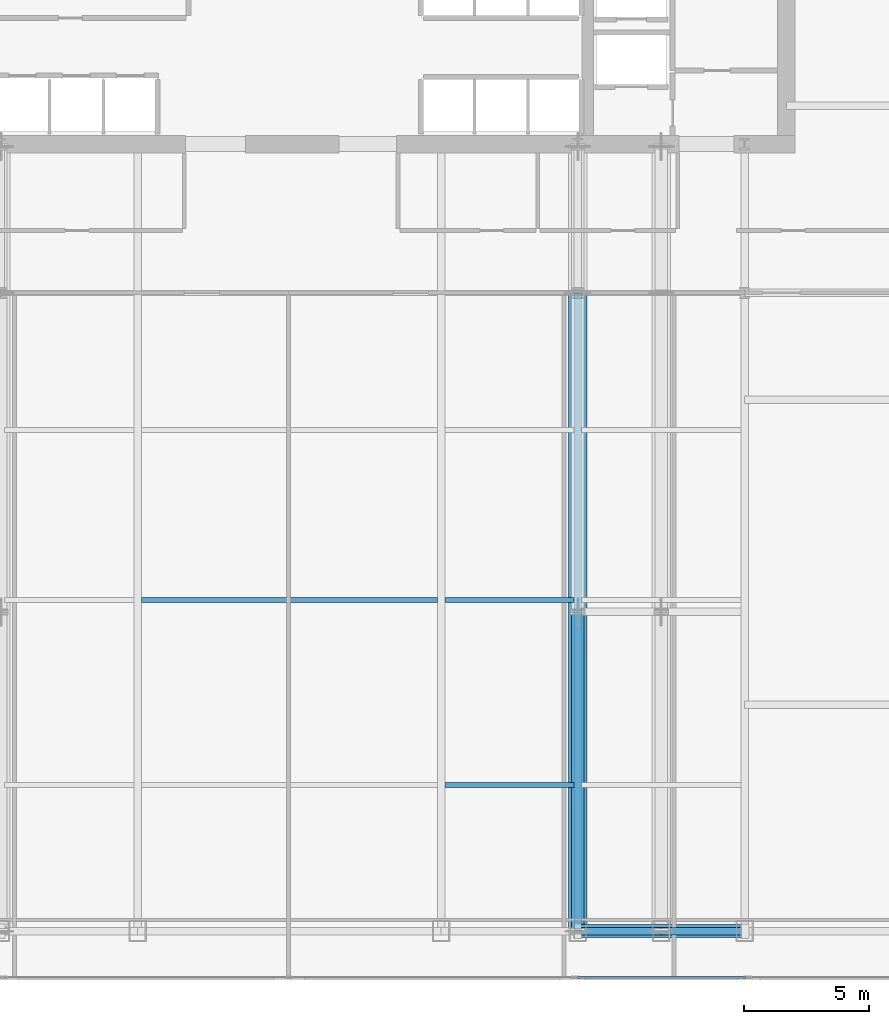
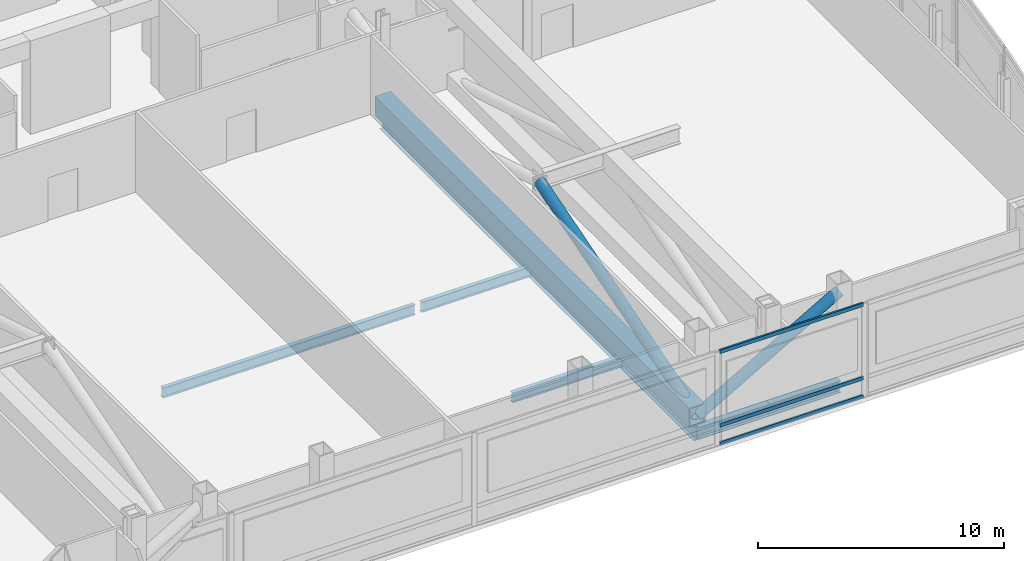
# One storey, part 14 of 30: 6 beams, 6 members, 1 element without a shape of its own.
"""IFC4 building model written with IfcOpenShell, lengths in metres."""

from ifc_helpers import new_model, si_unit, direction, frame, origin, origin_2d, place, context, subcontext, project, spatial, hollow_rectangle, hollow_circle, i_section, extrude, material, material_profile, profile_set, type_object, element, aggregate, save


model = new_model("IFC4")

# Units and contexts
model_context = context("Model", 3, precision=1e-05, world=origin(), true_north=direction((0.0, 1.0)))
body_context = subcontext(model_context, "Body", "Model", "MODEL_VIEW")
ifc_project = project(units=[si_unit("LENGTHUNIT", "METRE"), si_unit("AREAUNIT", "SQUARE_METRE"), si_unit("VOLUMEUNIT", "CUBIC_METRE"), si_unit("PLANEANGLEUNIT", "RADIAN"), si_unit("MASSUNIT", "GRAM", prefix="KILO")], contexts=[model_context])

# Site, building, storey
site_placement = place(None, origin())
site = spatial("IfcSite", under=ifc_project, at=site_placement, CompositionType="ELEMENT")
building_placement = place(site_placement, origin())
building = spatial("IfcBuilding", under=site, at=building_placement, Name="Khoronbel Lancet Exchange", CompositionType="ELEMENT")
storey_placement = place(building_placement, frame((0.0, 0.0, 172.199951171875)))
storey = spatial("IfcBuildingStorey", under=building, at=storey_placement, Name="L43", CompositionType="ELEMENT", Elevation=172.199951171875)

# Beams
ifc_material_1 = material(Name="Steel S355", Category="steel")
ifc_material_profile_1 = material_profile(ifc_material_1, i_section(OverallWidth=0.300048828125, OverallDepth=0.699951171875, WebThickness=0.01708984375, FlangeThickness=0.031982421875, at=origin_2d()), Name="HEB 700")
ifc_profile_set_1 = profile_set([ifc_material_profile_1], Name="Steel S355")
beam_type_1 = type_object("IfcBeamType", Name="BM-BG3", PredefinedType="BEAM", material=ifc_profile_set_1)
beam_1_placement = place(storey_placement, frame((48.0, 10.14990234375, -0.570068359375), z_axis=(0.0, 1.0, 0.0), x_axis=(-1.0, 0.0, 0.0)))
element("IfcBeam", 1, at=beam_1_placement, inside=storey, type_object=beam_type_1, Name="Level L43 south primary girder GS5", PredefinedType="BEAM", context=body_context, shape_type="SweptSolid", body=[
    extrude(i_section(OverallWidth=0.300048828125, OverallDepth=0.699951171875, WebThickness=0.01708984375, FlangeThickness=0.031982421875, at=origin_2d()), origin(), (0.0, 0.0, 1.0), 25.550048828125),
])
ifc_material_profile_2 = material_profile(ifc_material_1, i_section(OverallWidth=0.199951171875, OverallDepth=0.5, WebThickness=0.01025390625, FlangeThickness=0.01611328125, at=origin_2d()), Name="IPE 500")
ifc_profile_set_2 = profile_set([ifc_material_profile_2], Name="Steel S355")
beam_type_2 = type_object("IfcBeamType", Name="BM-BJ3", PredefinedType="JOIST", material=ifc_profile_set_2)
beam_2_placement = place(storey_placement, frame((42.675048828125, 16.0, -0.469970703125), z_axis=(1.0, 0.0, 0.0), x_axis=(0.0, 1.0, 0.0)))
element("IfcBeam", 2, at=beam_2_placement, inside=storey, type_object=beam_type_2, Name="Level L43 secondary composite joist J04", PredefinedType="JOIST", context=body_context, shape_type="SweptSolid", body=[
    extrude(i_section(OverallWidth=0.199951171875, OverallDepth=0.5, WebThickness=0.01025390625, FlangeThickness=0.01611328125, at=origin_2d()), origin(), (0.0, 0.0, 1.0), 5.175048828125),
])
beam_3_placement = place(storey_placement, frame((30.52490234375, 23.39990234375, -0.469970703125), z_axis=(1.0, 0.0, 0.0), x_axis=(0.0, 1.0, 0.0)))
element("IfcBeam", 3, at=beam_3_placement, inside=storey, type_object=beam_type_2, Name="Level L43 secondary composite joist J08", PredefinedType="JOIST", context=body_context, shape_type="SweptSolid", body=[
    extrude(i_section(OverallWidth=0.199951171875, OverallDepth=0.5, WebThickness=0.01025390625, FlangeThickness=0.01611328125, at=origin_2d()), origin(), (0.0, 0.0, 1.0), 11.85009765625),
])
beam_4_placement = place(storey_placement, frame((42.675048828125, 23.39990234375, -0.469970703125), z_axis=(1.0, 0.0, 0.0), x_axis=(0.0, 1.0, 0.0)))
element("IfcBeam", 4, at=beam_4_placement, inside=storey, type_object=beam_type_2, Name="Level L43 secondary composite joist J09", PredefinedType="JOIST", context=body_context, shape_type="SweptSolid", body=[
    extrude(i_section(OverallWidth=0.199951171875, OverallDepth=0.5, WebThickness=0.01025390625, FlangeThickness=0.01611328125, at=origin_2d()), origin(), (0.0, 0.0, 1.0), 5.175048828125),
])
ifc_material_profile_3 = material_profile(ifc_material_1, i_section(OverallWidth=0.300048828125, OverallDepth=0.60009765625, WebThickness=0.015380859375, FlangeThickness=0.030029296875, at=origin_2d()), Name="HEB 600")
ifc_profile_set_3 = profile_set([ifc_material_profile_3], Name="Steel S355")
beam_type_3 = type_object("IfcBeamType", Name="BM-BSP2", PredefinedType="SPANDREL", material=ifc_profile_set_3)
beam_5_placement = place(storey_placement, frame((48.0, 10.14990234375, -0.52001953125), z_axis=(1.0, 0.0, 0.0), x_axis=(0.0, 1.0, 0.0)))
element("IfcBeam", 5, at=beam_5_placement, inside=storey, type_object=beam_type_3, Name="Level L43 perimeter spandrel beam SP07", PredefinedType="SPANDREL", context=body_context, shape_type="SweptSolid", body=[
    extrude(i_section(OverallWidth=0.300048828125, OverallDepth=0.60009765625, WebThickness=0.015380859375, FlangeThickness=0.030029296875, at=origin_2d()), origin(), (0.0, 0.0, 1.0), 3.33740234375),
])
beam_6_placement = place(storey_placement, frame((51.33740234375, 10.14990234375, -0.52001953125), z_axis=(1.0, 0.0, 0.0), x_axis=(0.0, 1.0, 0.0)))
element("IfcBeam", 6, at=beam_6_placement, inside=storey, type_object=beam_type_3, Name="Level L43 perimeter spandrel beam SP08", PredefinedType="SPANDREL", context=body_context, shape_type="SweptSolid", body=[
    extrude(i_section(OverallWidth=0.300048828125, OverallDepth=0.60009765625, WebThickness=0.015380859375, FlangeThickness=0.030029296875, at=origin_2d()), origin(), (0.0, 0.0, 1.0), 3.337646484375),
])

# Curtain wall, members
ifc_material_2 = material(Name="Low-E Solar Control Insulating Glass", Category="glass")
curtain_wall_type = type_object("IfcCurtainWallType", Name="CW-3", PredefinedType="NOTDEFINED", material=ifc_material_2)
curtain_wall_placement = place(storey_placement, origin())
curtain_wall = element("IfcCurtainWall", 7, at=curtain_wall_placement, inside=storey, type_object=curtain_wall_type, Name="Unitised curtain wall CW-L43-SEB", PredefinedType="NOTDEFINED")
ifc_material_3 = material(Name="Bronze-Anodised Aluminium 6063-T6", Category="aluminium")
ifc_material_profile_4 = material_profile(ifc_material_3, hollow_rectangle(XDim=0.0849609375, YDim=0.179931640625, WallThickness=0.0048828125, at=origin_2d()), Name="ALU TRANSOM 85x180")
ifc_profile_set_4 = profile_set([ifc_material_profile_4], Name="Bronze-Anodised Aluminium 6063-T6")
member_type_1 = type_object("IfcMemberType", Name="MEM-CWT1", PredefinedType="USERDEFINED", material=ifc_profile_set_4)
member_1_placement = place(storey_placement, frame((47.985107421875, 8.2900390625, 0.04248046875), z_axis=(1.0, 0.0, 0.0), x_axis=(0.0, 1.0, 0.0)))
member_1 = element("IfcMember", 8, at=member_1_placement, type_object=member_type_1, Name="CW3 transom 1.1", ObjectType="TRANSOM", PredefinedType="USERDEFINED", context=body_context, shape_type="SweptSolid", body=[
    extrude(hollow_rectangle(XDim=0.0849609375, YDim=0.179931640625, WallThickness=0.0048828125, at=origin_2d()), origin(), (0.0, 0.0, 1.0), 6.72998046875),
])
member_2_placement = place(storey_placement, frame((47.985107421875, 8.2900390625, 0.949951171875), z_axis=(1.0, 0.0, 0.0), x_axis=(0.0, 1.0, 0.0)))
member_2 = element("IfcMember", 9, at=member_2_placement, type_object=member_type_1, Name="CW3 transom 1.2", ObjectType="TRANSOM", PredefinedType="USERDEFINED", context=body_context, shape_type="SweptSolid", body=[
    extrude(hollow_rectangle(XDim=0.0849609375, YDim=0.179931640625, WallThickness=0.0048828125, at=origin_2d()), origin(), (0.0, 0.0, 1.0), 6.72998046875),
])
member_3_placement = place(storey_placement, frame((47.985107421875, 8.2900390625, 4.59765625), z_axis=(1.0, 0.0, 0.0), x_axis=(0.0, 1.0, 0.0)))
member_3 = element("IfcMember", 10, at=member_3_placement, type_object=member_type_1, Name="CW3 transom 1.3", ObjectType="TRANSOM", PredefinedType="USERDEFINED", context=body_context, shape_type="SweptSolid", body=[
    extrude(hollow_rectangle(XDim=0.0849609375, YDim=0.179931640625, WallThickness=0.0048828125, at=origin_2d()), origin(), (0.0, 0.0, 1.0), 6.72998046875),
])
aggregate(curtain_wall, [member_1, member_2, member_3])

# Members
ifc_material_4 = material(Name="Steel S460", Category="steel")
ifc_material_profile_5 = material_profile(ifc_material_4, hollow_circle(Radius=0.25390625, WallThickness=0.02490234375, at=origin_2d()), Name="CHS 508x25")
ifc_profile_set_5 = profile_set([ifc_material_profile_5], Name="Steel S460")
member_type_2 = type_object("IfcMemberType", Name="MEM-OBR2", PredefinedType="BRACE", material=ifc_profile_set_5)
member_4_placement = place(storey_placement, frame((48.0, 10.14990234375, 0.300048828125), z_axis=(0.0, 0.957670496718, 0.287866670034), x_axis=(-1.0, 0.0, 0.0)))
element("IfcMember", 11, at=member_4_placement, inside=storey, type_object=member_type_2, Name="Outrigger truss diagonal L43-3-1", PredefinedType="BRACE", context=body_context, shape_type="SweptSolid", body=[
    extrude(hollow_circle(Radius=0.25390625, WallThickness=0.02490234375, at=origin_2d()), origin(), (0.0, 0.0, 1.0), 13.33984375),
])
member_5_placement = place(storey_placement, frame((48.0, 10.14990234375, 0.300048828125), z_axis=(0.866797711254, 0.0, 0.498659931982), x_axis=(0.0, 1.0, 0.0)))
element("IfcMember", 12, at=member_5_placement, inside=storey, type_object=member_type_2, Name="Perimeter belt-truss diagonal L43-2", PredefinedType="BRACE", context=body_context, shape_type="SweptSolid", body=[
    extrude(hollow_circle(Radius=0.25390625, WallThickness=0.02490234375, at=origin_2d()), origin(), (0.0, 0.0, 1.0), 7.700927734375),
])
ifc_material_profile_6 = material_profile(ifc_material_4, hollow_rectangle(XDim=0.75, YDim=0.949951171875, WallThickness=0.054931640625, at=origin_2d()), Name="BOX 950x750x55")
ifc_profile_set_6 = profile_set([ifc_material_profile_6], Name="Steel S460")
member_type_3 = type_object("IfcMemberType", Name="MEM-OCH2", PredefinedType="CHORD", material=ifc_profile_set_6)
member_6_placement = place(storey_placement, frame((48.0, 10.14990234375, 0.300048828125), z_axis=(0.0, 1.0, 0.0), x_axis=(-1.0, 0.0, 0.0)))
element("IfcMember", 13, at=member_6_placement, inside=storey, type_object=member_type_3, Name="Outrigger truss bottom chord L43-3-BOT", PredefinedType="CHORD", context=body_context, shape_type="SweptSolid", body=[
    extrude(hollow_rectangle(XDim=0.75, YDim=0.949951171875, WallThickness=0.054931640625, at=origin_2d()), origin(), (0.0, 0.0, 1.0), 25.550048828125),
])

save(model, "model.ifc")
